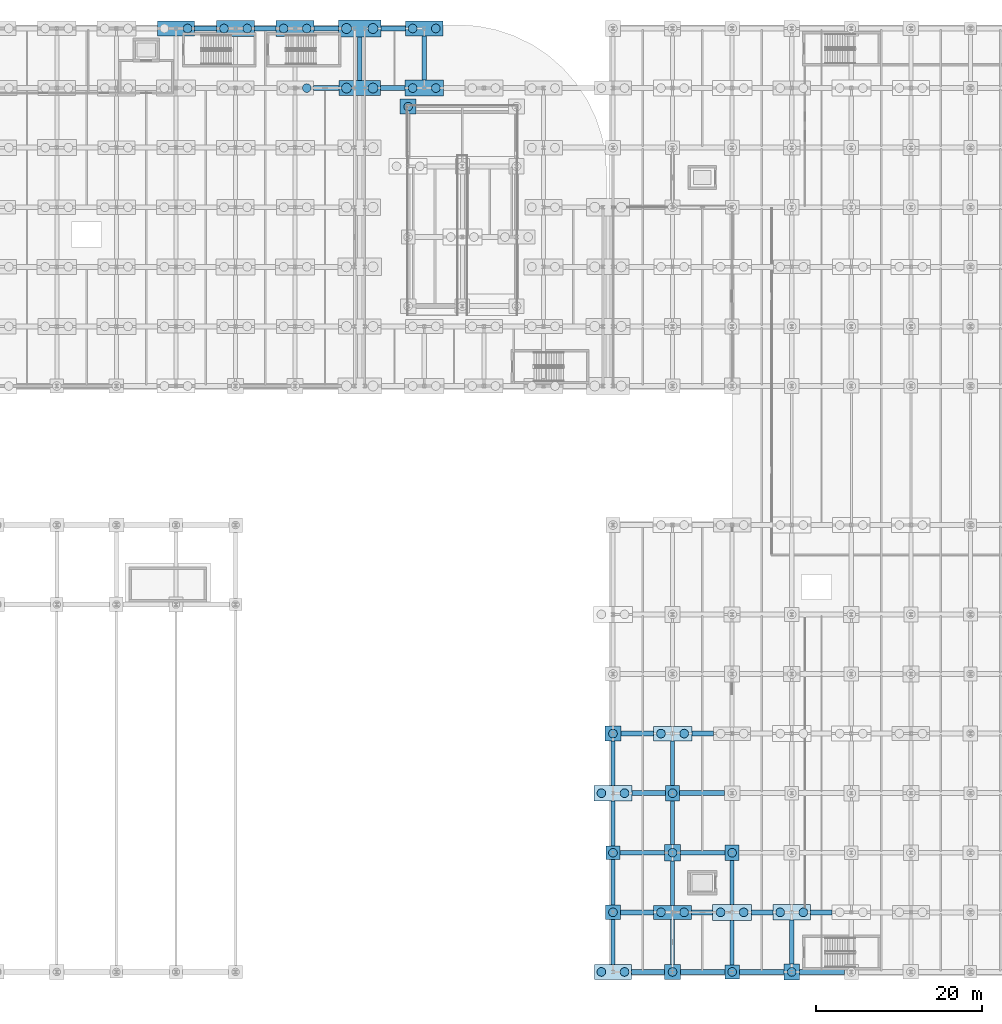
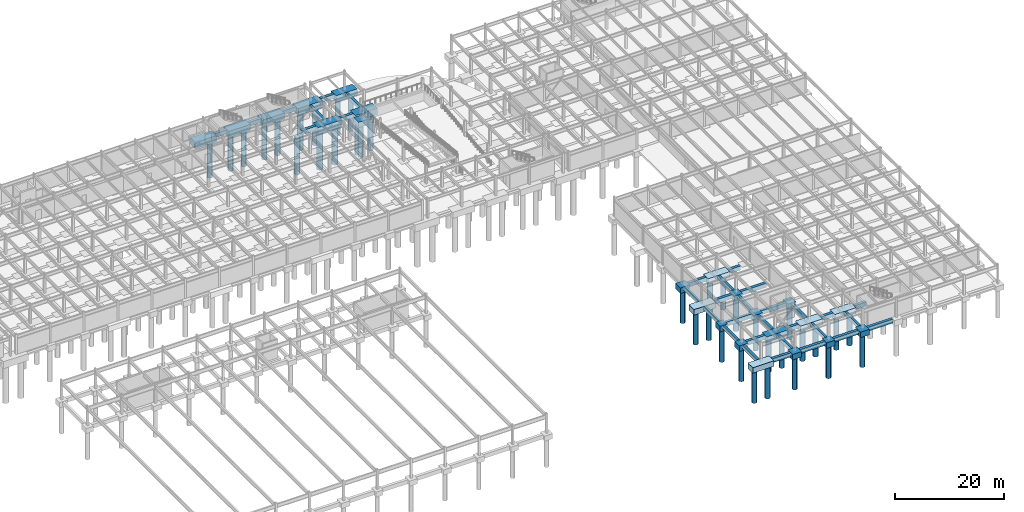
# One storey, part 8 of 54: 56 footings, 36 piles.
"""IFC4 building model written with IfcOpenShell, lengths in metres."""

from ifc_helpers import new_model, si_unit, direction, frame, origin, origin_2d, place, context, subcontext, project, spatial, polyline, rectangle, circle, outline, extrude, material, material_profile, profile_set, type_object, element, save


model = new_model("IFC4")

# Units and contexts
model_context = context("Model", 3, precision=1e-05, world=origin(), true_north=direction((0.0, 1.0)))
body_context = subcontext(model_context, "Body", "Model", "MODEL_VIEW")
ifc_project = project(units=[si_unit("LENGTHUNIT", "METRE"), si_unit("AREAUNIT", "SQUARE_METRE"), si_unit("VOLUMEUNIT", "CUBIC_METRE"), si_unit("PLANEANGLEUNIT", "RADIAN"), si_unit("MASSUNIT", "GRAM", prefix="KILO")], contexts=[model_context])

# Site, building, storey
site_placement = place(None, origin())
site = spatial("IfcSite", under=ifc_project, at=site_placement, CompositionType="ELEMENT")
building_placement = place(site_placement, origin())
building = spatial("IfcBuilding", under=site, at=building_placement, Name="Vaelcorin Mobility Hub", CompositionType="ELEMENT")
storey_placement = place(building_placement, frame((0.0, 0.0, -4.5)))
storey = spatial("IfcBuildingStorey", under=building, at=storey_placement, Name="B1", CompositionType="ELEMENT", Elevation=-4.5)

# Footings
ifc_material = material(Name="Concrete f'c 40 MPa", Category="concrete")
footing_type_1 = type_object("IfcFootingType", Name="FB-500X800", PredefinedType="FOOTING_BEAM", material=ifc_material)
footing_1_placement = place(storey_placement, frame((0.0, 0.0, -0.800048828125)))
element("IfcFooting", 1, at=footing_1_placement, inside=storey, type_object=footing_type_1, Name="Foundation Tie Beam FB-Y-361", PredefinedType="FOOTING_BEAM", context=body_context, shape_type="SweptSolid", body=[
    extrude(outline(polyline([(122.75, 113.699951171875), (123.25, 113.699951171875), (123.25, 118.97509765625), (122.75, 118.97509765625), (122.75, 113.699951171875)])), origin(), (0.0, 0.0, 1.0), 0.800048828125),
])
footing_2_placement = place(storey_placement, frame((0.0, 0.0, -0.800048828125)))
element("IfcFooting", 2, at=footing_2_placement, inside=storey, type_object=footing_type_1, Name="Foundation Tie Beam FB-Y-363", PredefinedType="FOOTING_BEAM", context=body_context, shape_type="SweptSolid", body=[
    extrude(outline(polyline([(130.550048828125, 113.77490234375), (131.050048828125, 113.77490234375), (131.050048828125, 119.074951171875), (130.550048828125, 119.074951171875), (130.550048828125, 113.77490234375)])), origin(), (0.0, 0.0, 1.0), 0.800048828125),
])
footing_3_placement = place(storey_placement, frame((0.0, 0.0, -0.800048828125)))
element("IfcFooting", 3, at=footing_3_placement, inside=storey, type_object=footing_type_1, Name="Foundation Tie Beam FB-Y-370", PredefinedType="FOOTING_BEAM", context=body_context, shape_type="SweptSolid", body=[
    extrude(outline(polyline([(153.35009765625, 6.925048828125), (153.85009765625, 6.925048828125), (153.85009765625, 12.324951171875), (153.35009765625, 12.324951171875), (153.35009765625, 6.925048828125)])), origin(), (0.0, 0.0, 1.0), 0.800048828125),
])
footing_4_placement = place(storey_placement, frame((0.0, 0.0, -0.800048828125)))
element("IfcFooting", 4, at=footing_4_placement, inside=storey, type_object=footing_type_1, Name="Foundation Tie Beam FB-Y-371", PredefinedType="FOOTING_BEAM", context=body_context, shape_type="SweptSolid", body=[
    extrude(outline(polyline([(153.35009765625, 14.074951171875), (153.85009765625, 14.074951171875), (153.85009765625, 19.574951171875), (153.35009765625, 19.574951171875), (153.35009765625, 14.074951171875)])), origin(), (0.0, 0.0, 1.0), 0.800048828125),
])
footing_5_placement = place(storey_placement, frame((0.0, 0.0, -0.800048828125)))
element("IfcFooting", 5, at=footing_5_placement, inside=storey, type_object=footing_type_1, Name="Foundation Tie Beam FB-Y-372", PredefinedType="FOOTING_BEAM", context=body_context, shape_type="SweptSolid", body=[
    extrude(outline(polyline([(153.35009765625, 21.22509765625), (153.85009765625, 21.22509765625), (153.85009765625, 26.64990234375), (153.35009765625, 26.64990234375), (153.35009765625, 21.22509765625)])), origin(), (0.0, 0.0, 1.0), 0.800048828125),
])
footing_6_placement = place(storey_placement, frame((0.0, 0.0, -0.800048828125)))
element("IfcFooting", 6, at=footing_6_placement, inside=storey, type_object=footing_type_1, Name="Foundation Tie Beam FB-Y-373", PredefinedType="FOOTING_BEAM", context=body_context, shape_type="SweptSolid", body=[
    extrude(outline(polyline([(153.35009765625, 28.550048828125), (153.85009765625, 28.550048828125), (153.85009765625, 33.89990234375), (153.35009765625, 33.89990234375), (153.35009765625, 28.550048828125)])), origin(), (0.0, 0.0, 1.0), 0.800048828125),
])
footing_7_placement = place(storey_placement, frame((0.0, 0.0, -0.800048828125)))
element("IfcFooting", 7, at=footing_7_placement, inside=storey, type_object=footing_type_1, Name="Foundation Tie Beam FB-Y-382", PredefinedType="FOOTING_BEAM", context=body_context, shape_type="SweptSolid", body=[
    extrude(outline(polyline([(160.550048828125, 6.89990234375), (161.050048828125, 6.89990234375), (161.050048828125, 12.35009765625), (160.550048828125, 12.35009765625), (160.550048828125, 6.89990234375)])), origin(), (0.0, 0.0, 1.0), 0.800048828125),
])
footing_8_placement = place(storey_placement, frame((0.0, 0.0, -0.800048828125)))
element("IfcFooting", 8, at=footing_8_placement, inside=storey, type_object=footing_type_1, Name="Foundation Tie Beam FB-Y-383", PredefinedType="FOOTING_BEAM", context=body_context, shape_type="SweptSolid", body=[
    extrude(outline(polyline([(160.550048828125, 14.050048828125), (161.050048828125, 14.050048828125), (161.050048828125, 19.425048828125), (160.550048828125, 19.425048828125), (160.550048828125, 14.050048828125)])), origin(), (0.0, 0.0, 1.0), 0.800048828125),
])
footing_9_placement = place(storey_placement, frame((0.0, 0.0, -0.800048828125)))
element("IfcFooting", 9, at=footing_9_placement, inside=storey, type_object=footing_type_1, Name="Foundation Tie Beam FB-Y-384", PredefinedType="FOOTING_BEAM", context=body_context, shape_type="SweptSolid", body=[
    extrude(outline(polyline([(160.550048828125, 21.375), (161.050048828125, 21.375), (161.050048828125, 26.675048828125), (160.550048828125, 26.675048828125), (160.550048828125, 21.375)])), origin(), (0.0, 0.0, 1.0), 0.800048828125),
])
footing_10_placement = place(storey_placement, frame((0.0, 0.0, -0.800048828125)))
element("IfcFooting", 10, at=footing_10_placement, inside=storey, type_object=footing_type_1, Name="Foundation Tie Beam FB-Y-385", PredefinedType="FOOTING_BEAM", context=body_context, shape_type="SweptSolid", body=[
    extrude(outline(polyline([(160.550048828125, 28.52490234375), (161.050048828125, 28.52490234375), (161.050048828125, 33.925048828125), (160.550048828125, 33.925048828125), (160.550048828125, 28.52490234375)])), origin(), (0.0, 0.0, 1.0), 0.800048828125),
])
footing_11_placement = place(storey_placement, frame((0.0, 0.0, -0.800048828125)))
element("IfcFooting", 11, at=footing_11_placement, inside=storey, type_object=footing_type_1, Name="Foundation Tie Beam FB-Y-395", PredefinedType="FOOTING_BEAM", context=body_context, shape_type="SweptSolid", body=[
    extrude(outline(polyline([(167.75, 6.85009765625), (168.25, 6.85009765625), (168.25, 12.22509765625), (167.75, 12.22509765625), (167.75, 6.85009765625)])), origin(), (0.0, 0.0, 1.0), 0.800048828125),
])
footing_12_placement = place(storey_placement, frame((0.0, 0.0, -0.800048828125)))
element("IfcFooting", 12, at=footing_12_placement, inside=storey, type_object=footing_type_1, Name="Foundation Tie Beam FB-Y-396", PredefinedType="FOOTING_BEAM", context=body_context, shape_type="SweptSolid", body=[
    extrude(outline(polyline([(167.75, 14.175048828125), (168.25, 14.175048828125), (168.25, 19.47509765625), (167.75, 19.47509765625), (167.75, 14.175048828125)])), origin(), (0.0, 0.0, 1.0), 0.800048828125),
])
footing_13_placement = place(storey_placement, frame((0.0, 0.0, -0.800048828125)))
element("IfcFooting", 13, at=footing_13_placement, inside=storey, type_object=footing_type_1, Name="Foundation Tie Beam FB-Y-408", PredefinedType="FOOTING_BEAM", context=body_context, shape_type="SweptSolid", body=[
    extrude(outline(polyline([(174.949951171875, 6.97509765625), (175.449951171875, 6.97509765625), (175.449951171875, 12.27490234375), (174.949951171875, 12.27490234375), (174.949951171875, 6.97509765625)])), origin(), (0.0, 0.0, 1.0), 0.800048828125),
])
footing_type_2 = type_object("IfcFootingType", Name="FB-600X900", PredefinedType="FOOTING_BEAM", material=ifc_material)
footing_14_placement = place(storey_placement, frame((0.0, 0.0, -0.89990234375)))
element("IfcFooting", 14, at=footing_14_placement, inside=storey, type_object=footing_type_2, Name="Foundation Tie Beam FB-X-131", PredefinedType="FOOTING_BEAM", context=body_context, shape_type="SweptSolid", body=[
    extrude(outline(polyline([(117.425048828125, 112.5), (120.5, 112.5), (120.5, 113.10009765625), (117.425048828125, 113.10009765625), (117.425048828125, 112.5)])), origin(), (0.0, 0.0, 1.0), 0.89990234375),
])
footing_15_placement = place(storey_placement, frame((0.0, 0.0, -0.89990234375)))
element("IfcFooting", 15, at=footing_15_placement, inside=storey, type_object=footing_type_2, Name="Foundation Tie Beam FB-X-132", PredefinedType="FOOTING_BEAM", context=body_context, shape_type="SweptSolid", body=[
    extrude(outline(polyline([(125.5, 112.5), (128.449951171875, 112.5), (128.449951171875, 113.10009765625), (125.5, 113.10009765625), (125.5, 112.5)])), origin(), (0.0, 0.0, 1.0), 0.89990234375),
])
footing_16_placement = place(storey_placement, frame((0.0, 0.0, -0.89990234375)))
element("IfcFooting", 16, at=footing_16_placement, inside=storey, type_object=footing_type_2, Name="Foundation Tie Beam FB-X-153", PredefinedType="FOOTING_BEAM", context=body_context, shape_type="SweptSolid", body=[
    extrude(outline(polyline([(103.050048828125, 119.699951171875), (105.699951171875, 119.699951171875), (105.699951171875, 120.300048828125), (103.050048828125, 120.300048828125), (103.050048828125, 119.699951171875)])), origin(), (0.0, 0.0, 1.0), 0.89990234375),
])
footing_17_placement = place(storey_placement, frame((0.0, 0.0, -0.89990234375)))
element("IfcFooting", 17, at=footing_17_placement, inside=storey, type_object=footing_type_2, Name="Foundation Tie Beam FB-X-154", PredefinedType="FOOTING_BEAM", context=body_context, shape_type="SweptSolid", body=[
    extrude(outline(polyline([(110.300048828125, 119.699951171875), (112.89990234375, 119.699951171875), (112.89990234375, 120.300048828125), (110.300048828125, 120.300048828125), (110.300048828125, 119.699951171875)])), origin(), (0.0, 0.0, 1.0), 0.89990234375),
])
footing_18_placement = place(storey_placement, frame((0.0, 0.0, -0.89990234375)))
element("IfcFooting", 18, at=footing_18_placement, inside=storey, type_object=footing_type_2, Name="Foundation Tie Beam FB-X-155", PredefinedType="FOOTING_BEAM", context=body_context, shape_type="SweptSolid", body=[
    extrude(outline(polyline([(117.5, 119.699951171875), (120.425048828125, 119.699951171875), (120.425048828125, 120.300048828125), (117.5, 120.300048828125), (117.5, 119.699951171875)])), origin(), (0.0, 0.0, 1.0), 0.89990234375),
])
footing_19_placement = place(storey_placement, frame((0.0, 0.0, -0.89990234375)))
element("IfcFooting", 19, at=footing_19_placement, inside=storey, type_object=footing_type_2, Name="Foundation Tie Beam FB-X-156", PredefinedType="FOOTING_BEAM", context=body_context, shape_type="SweptSolid", body=[
    extrude(outline(polyline([(125.574951171875, 119.699951171875), (128.550048828125, 119.699951171875), (128.550048828125, 120.300048828125), (125.574951171875, 120.300048828125), (125.574951171875, 119.699951171875)])), origin(), (0.0, 0.0, 1.0), 0.89990234375),
])
footing_20_placement = place(storey_placement, frame((0.0, 0.0, -0.89990234375)))
element("IfcFooting", 20, at=footing_20_placement, inside=storey, type_object=footing_type_2, Name="Foundation Tie Beam FB-X-174", PredefinedType="FOOTING_BEAM", context=body_context, shape_type="SweptSolid", body=[
    extrude(outline(polyline([(155.85009765625, 5.699951171875), (159.824951171875, 5.699951171875), (159.824951171875, 6.300048828125), (155.85009765625, 6.300048828125), (155.85009765625, 5.699951171875)])), origin(), (0.0, 0.0, 1.0), 0.89990234375),
])
footing_21_placement = place(storey_placement, frame((0.0, 0.0, -0.89990234375)))
element("IfcFooting", 21, at=footing_21_placement, inside=storey, type_object=footing_type_2, Name="Foundation Tie Beam FB-X-175", PredefinedType="FOOTING_BEAM", context=body_context, shape_type="SweptSolid", body=[
    extrude(outline(polyline([(161.77490234375, 5.699951171875), (167.125, 5.699951171875), (167.125, 6.300048828125), (161.77490234375, 6.300048828125), (161.77490234375, 5.699951171875)])), origin(), (0.0, 0.0, 1.0), 0.89990234375),
])
footing_22_placement = place(storey_placement, frame((0.0, 0.0, -0.89990234375)))
element("IfcFooting", 22, at=footing_22_placement, inside=storey, type_object=footing_type_2, Name="Foundation Tie Beam FB-X-176", PredefinedType="FOOTING_BEAM", context=body_context, shape_type="SweptSolid", body=[
    extrude(outline(polyline([(168.875, 5.699951171875), (174.25, 5.699951171875), (174.25, 6.300048828125), (168.875, 6.300048828125), (168.875, 5.699951171875)])), origin(), (0.0, 0.0, 1.0), 0.89990234375),
])
footing_23_placement = place(storey_placement, frame((0.0, 0.0, -0.89990234375)))
element("IfcFooting", 23, at=footing_23_placement, inside=storey, type_object=footing_type_2, Name="Foundation Tie Beam FB-X-177", PredefinedType="FOOTING_BEAM", context=body_context, shape_type="SweptSolid", body=[
    extrude(outline(polyline([(176.14990234375, 5.699951171875), (181.550048828125, 5.699951171875), (181.550048828125, 6.300048828125), (176.14990234375, 6.300048828125), (176.14990234375, 5.699951171875)])), origin(), (0.0, 0.0, 1.0), 0.89990234375),
])
footing_24_placement = place(storey_placement, frame((0.0, 0.0, -0.89990234375)))
element("IfcFooting", 24, at=footing_24_placement, inside=storey, type_object=footing_type_2, Name="Foundation Tie Beam FB-X-208", PredefinedType="FOOTING_BEAM", context=body_context, shape_type="SweptSolid", body=[
    extrude(outline(polyline([(154.52490234375, 12.89990234375), (158.52490234375, 12.89990234375), (158.52490234375, 13.5), (154.52490234375, 13.5), (154.52490234375, 12.89990234375)])), origin(), (0.0, 0.0, 1.0), 0.89990234375),
])
footing_25_placement = place(storey_placement, frame((0.0, 0.0, -0.89990234375)))
element("IfcFooting", 25, at=footing_25_placement, inside=storey, type_object=footing_type_2, Name="Foundation Tie Beam FB-X-209", PredefinedType="FOOTING_BEAM", context=body_context, shape_type="SweptSolid", body=[
    extrude(outline(polyline([(163.074951171875, 12.89990234375), (165.64990234375, 12.89990234375), (165.64990234375, 13.5), (163.074951171875, 13.5), (163.074951171875, 12.89990234375)])), origin(), (0.0, 0.0, 1.0), 0.89990234375),
])
footing_26_placement = place(storey_placement, frame((0.0, 0.0, -0.89990234375)))
element("IfcFooting", 26, at=footing_26_placement, inside=storey, type_object=footing_type_2, Name="Foundation Tie Beam FB-X-210", PredefinedType="FOOTING_BEAM", context=body_context, shape_type="SweptSolid", body=[
    extrude(outline(polyline([(170.35009765625, 12.89990234375), (172.949951171875, 12.89990234375), (172.949951171875, 13.5), (170.35009765625, 13.5), (170.35009765625, 12.89990234375)])), origin(), (0.0, 0.0, 1.0), 0.89990234375),
])
footing_27_placement = place(storey_placement, frame((0.0, 0.0, -0.89990234375)))
element("IfcFooting", 27, at=footing_27_placement, inside=storey, type_object=footing_type_2, Name="Foundation Tie Beam FB-X-211", PredefinedType="FOOTING_BEAM", context=body_context, shape_type="SweptSolid", body=[
    extrude(outline(polyline([(177.449951171875, 12.89990234375), (180.074951171875, 12.89990234375), (180.074951171875, 13.5), (177.449951171875, 13.5), (177.449951171875, 12.89990234375)])), origin(), (0.0, 0.0, 1.0), 0.89990234375),
])
footing_28_placement = place(storey_placement, frame((0.0, 0.0, -0.89990234375)))
element("IfcFooting", 28, at=footing_28_placement, inside=storey, type_object=footing_type_2, Name="Foundation Tie Beam FB-X-215", PredefinedType="FOOTING_BEAM", context=body_context, shape_type="SweptSolid", body=[
    extrude(outline(polyline([(154.425048828125, 20.10009765625), (159.85009765625, 20.10009765625), (159.85009765625, 20.699951171875), (154.425048828125, 20.699951171875), (154.425048828125, 20.10009765625)])), origin(), (0.0, 0.0, 1.0), 0.89990234375),
])
footing_29_placement = place(storey_placement, frame((0.0, 0.0, -0.89990234375)))
element("IfcFooting", 29, at=footing_29_placement, inside=storey, type_object=footing_type_2, Name="Foundation Tie Beam FB-X-216", PredefinedType="FOOTING_BEAM", context=body_context, shape_type="SweptSolid", body=[
    extrude(outline(polyline([(161.75, 20.10009765625), (167.14990234375, 20.10009765625), (167.14990234375, 20.699951171875), (161.75, 20.699951171875), (161.75, 20.10009765625)])), origin(), (0.0, 0.0, 1.0), 0.89990234375),
])
footing_30_placement = place(storey_placement, frame((0.0, 0.0, -0.89990234375)))
element("IfcFooting", 30, at=footing_30_placement, inside=storey, type_object=footing_type_2, Name="Foundation Tie Beam FB-X-222", PredefinedType="FOOTING_BEAM", context=body_context, shape_type="SweptSolid", body=[
    extrude(outline(polyline([(155.89990234375, 27.300048828125), (159.949951171875, 27.300048828125), (159.949951171875, 27.89990234375), (155.89990234375, 27.89990234375), (155.89990234375, 27.300048828125)])), origin(), (0.0, 0.0, 1.0), 0.89990234375),
])
footing_31_placement = place(storey_placement, frame((0.0, 0.0, -0.89990234375)))
element("IfcFooting", 31, at=footing_31_placement, inside=storey, type_object=footing_type_2, Name="Foundation Tie Beam FB-X-223", PredefinedType="FOOTING_BEAM", context=body_context, shape_type="SweptSolid", body=[
    extrude(outline(polyline([(161.64990234375, 27.300048828125), (167.074951171875, 27.300048828125), (167.074951171875, 27.89990234375), (161.64990234375, 27.89990234375), (161.64990234375, 27.300048828125)])), origin(), (0.0, 0.0, 1.0), 0.89990234375),
])
footing_32_placement = place(storey_placement, frame((0.0, 0.0, -0.89990234375)))
element("IfcFooting", 32, at=footing_32_placement, inside=storey, type_object=footing_type_2, Name="Foundation Tie Beam FB-X-229", PredefinedType="FOOTING_BEAM", context=body_context, shape_type="SweptSolid", body=[
    extrude(outline(polyline([(154.574951171875, 34.5), (158.47509765625, 34.5), (158.47509765625, 35.10009765625), (154.574951171875, 35.10009765625), (154.574951171875, 34.5)])), origin(), (0.0, 0.0, 1.0), 0.89990234375),
])
footing_33_placement = place(storey_placement, frame((0.0, 0.0, -0.89990234375)))
element("IfcFooting", 33, at=footing_33_placement, inside=storey, type_object=footing_type_2, Name="Foundation Tie Beam FB-X-230", PredefinedType="FOOTING_BEAM", context=body_context, shape_type="SweptSolid", body=[
    extrude(outline(polyline([(163.125, 34.5), (165.77490234375, 34.5), (165.77490234375, 35.10009765625), (163.125, 35.10009765625), (163.125, 34.5)])), origin(), (0.0, 0.0, 1.0), 0.89990234375),
])
footing_type_3 = type_object("IfcFootingType", Name="FTG-PC-01", PredefinedType="PILE_CAP", material=ifc_material)
for number, where, z_axis, x_axis, name in (
    (34, (108.0, 120.0, -1.39990234375), (0.0, 0.0, 1.0), (1.0, 0.0, 0.0), "Pile Cap PC-01 127"),
    (35, (115.199951171875, 120.0, -1.39990234375), (0.0, 0.0, 1.0), (1.0, 0.0, 0.0), "Pile Cap PC-01 134"),
):
    element("IfcFooting", number, at=place(storey_placement, frame(where, z_axis=z_axis, x_axis=x_axis)), inside=storey, type_object=footing_type_3, Name=name, PredefinedType="PILE_CAP", context=body_context, shape_type="SweptSolid", body=[
        extrude(rectangle(XDim=4.60009765625, YDim=1.89990234375, at=origin_2d()), origin(), (0.0, 0.0, 1.0), 1.39990234375),
    ])
footing_type_4 = type_object("IfcFootingType", Name="FTG-PC-04", PredefinedType="PILE_CAP", material=ifc_material)
footing_34_placement = place(storey_placement, frame((130.800048828125, 112.800048828125, -1.39990234375), z_axis=(0.0, 0.0, 1.0), x_axis=(1.0, 0.0, 0.0)))
element("IfcFooting", 36, at=footing_34_placement, inside=storey, type_object=footing_type_4, Name="Pile Cap PC-04 144", PredefinedType="PILE_CAP", context=body_context, shape_type="SweptSolid", body=[
    extrude(rectangle(XDim=4.699951171875, YDim=1.949951171875, at=origin_2d()), origin(), (0.0, 0.0, 1.0), 1.39990234375),
])
footing_type_5 = type_object("IfcFootingType", Name="FTG-PC-05", PredefinedType="PILE_CAP", material=ifc_material)
for number, where, z_axis, x_axis, name in (
    (37, (100.800048828125, 120.0, -1.39990234375), (0.0, 0.0, 1.0), (1.0, 0.0, 0.0), "Pile Cap PC-05 117"),
    (38, (130.800048828125, 120.0, -1.39990234375), (0.0, 0.0, 1.0), (1.0, 0.0, 0.0), "Pile Cap PC-05 145"),
):
    element("IfcFooting", number, at=place(storey_placement, frame(where, z_axis=z_axis, x_axis=x_axis)), inside=storey, type_object=footing_type_5, Name=name, PredefinedType="PILE_CAP", context=body_context, shape_type="SweptSolid", body=[
        extrude(rectangle(XDim=4.5, YDim=1.85009765625, at=origin_2d()), origin(), (0.0, 0.0, 1.0), 1.39990234375),
    ])
footing_type_6 = type_object("IfcFootingType", Name="FTG-PC-21", PredefinedType="PILE_CAP", material=ifc_material)
footing_35_placement = place(storey_placement, frame((168.0, 6.0, -1.25), z_axis=(0.0, 0.0, 1.0), x_axis=(1.0, 0.0, 0.0)))
element("IfcFooting", 39, at=footing_35_placement, inside=storey, type_object=footing_type_6, Name="Pile Cap PC-21 185", PredefinedType="PILE_CAP", context=body_context, shape_type="SweptSolid", body=[
    extrude(rectangle(XDim=1.75, YDim=1.699951171875, at=origin_2d()), origin(), (0.0, 0.0, 1.0), 1.25),
])
footing_type_7 = type_object("IfcFootingType", Name="FTG-PC-23", PredefinedType="PILE_CAP", material=ifc_material)
footing_36_placement = place(storey_placement, frame((153.60009765625, 13.199951171875, -1.25), z_axis=(0.0, 0.0, 1.0), x_axis=(1.0, 0.0, 0.0)))
element("IfcFooting", 40, at=footing_36_placement, inside=storey, type_object=footing_type_7, Name="Pile Cap PC-23 160", PredefinedType="PILE_CAP", context=body_context, shape_type="SweptSolid", body=[
    extrude(rectangle(XDim=1.85009765625, YDim=1.75, at=origin_2d()), origin(), (0.0, 0.0, 1.0), 1.25),
])
footing_type_8 = type_object("IfcFootingType", Name="FTG-PC-25", PredefinedType="PILE_CAP", material=ifc_material)
for number, where, z_axis, x_axis, name in (
    (41, (160.800048828125, 27.60009765625, -1.25), (0.0, 0.0, 1.0), (1.0, 0.0, 0.0), "Pile Cap PC-25 173"),
    (42, (168.0, 20.39990234375, -1.25), (0.0, 0.0, 1.0), (1.0, 0.0, 0.0), "Pile Cap PC-25 187"),
):
    element("IfcFooting", number, at=place(storey_placement, frame(where, z_axis=z_axis, x_axis=x_axis)), inside=storey, type_object=footing_type_8, Name=name, PredefinedType="PILE_CAP", context=body_context, shape_type="SweptSolid", body=[
        extrude(rectangle(XDim=1.699951171875, YDim=1.85009765625, at=origin_2d()), origin(), (0.0, 0.0, 1.0), 1.25),
    ])
footing_type_9 = type_object("IfcFootingType", Name="FTG-PC-27", PredefinedType="PILE_CAP", material=ifc_material)
footing_37_placement = place(storey_placement, frame((168.0, 13.199951171875, -1.25), z_axis=(0.0, 0.0, 1.0), x_axis=(1.0, 0.0, 0.0)))
element("IfcFooting", 43, at=footing_37_placement, inside=storey, type_object=footing_type_9, Name="Pile Cap PC-27 186", PredefinedType="PILE_CAP", context=body_context, shape_type="SweptSolid", body=[
    extrude(rectangle(XDim=4.699951171875, YDim=1.949951171875, at=origin_2d()), origin(), (0.0, 0.0, 1.0), 1.25),
])
footing_type_10 = type_object("IfcFootingType", Name="FTG-PC-28", PredefinedType="PILE_CAP", material=ifc_material)
footing_38_placement = place(storey_placement, frame((153.60009765625, 20.39990234375, -1.25), z_axis=(0.0, 0.0, 1.0), x_axis=(1.0, 0.0, 0.0)))
element("IfcFooting", 44, at=footing_38_placement, inside=storey, type_object=footing_type_10, Name="Pile Cap PC-28 161", PredefinedType="PILE_CAP", context=body_context, shape_type="SweptSolid", body=[
    extrude(rectangle(XDim=1.64990234375, YDim=1.64990234375, at=origin_2d()), origin(), (0.0, 0.0, 1.0), 1.25),
])
footing_type_11 = type_object("IfcFootingType", Name="FTG-PC-29", PredefinedType="PILE_CAP", material=ifc_material)
footing_39_placement = place(storey_placement, frame((160.800048828125, 34.800048828125, -1.25), z_axis=(0.0, 0.0, 1.0), x_axis=(1.0, 0.0, 0.0)))
element("IfcFooting", 45, at=footing_39_placement, inside=storey, type_object=footing_type_11, Name="Pile Cap PC-29 174", PredefinedType="PILE_CAP", context=body_context, shape_type="SweptSolid", body=[
    extrude(rectangle(XDim=4.64990234375, YDim=1.75, at=origin_2d()), origin(), (0.0, 0.0, 1.0), 1.25),
])
footing_type_12 = type_object("IfcFootingType", Name="FTG-PC-30", PredefinedType="PILE_CAP", material=ifc_material)
for number, where, z_axis, x_axis, name in (
    (46, (153.60009765625, 34.800048828125, -1.25), (0.0, 0.0, 1.0), (1.0, 0.0, 0.0), "Pile Cap PC-30 163"),
    (47, (160.800048828125, 6.0, -1.25), (0.0, 0.0, 1.0), (1.0, 0.0, 0.0), "Pile Cap PC-30 170"),
    (48, (128.85009765625, 110.550048828125, -1.25), (0.0, 0.0, 1.0), (1.0, 0.0, 0.0), "Pile Cap PC-30 289"),
):
    element("IfcFooting", number, at=place(storey_placement, frame(where, z_axis=z_axis, x_axis=x_axis)), inside=storey, type_object=footing_type_12, Name=name, PredefinedType="PILE_CAP", context=body_context, shape_type="SweptSolid", body=[
        extrude(rectangle(XDim=1.949951171875, YDim=1.800048828125, at=origin_2d()), origin(), (0.0, 0.0, 1.0), 1.25),
    ])
footing_type_13 = type_object("IfcFootingType", Name="FTG-PC-31", PredefinedType="PILE_CAP", material=ifc_material)
for number, where, z_axis, x_axis, name in (
    (49, (153.60009765625, 6.0, -1.25), (0.0, 0.0, 1.0), (1.0, 0.0, 0.0), "Pile Cap PC-31 159"),
    (50, (175.199951171875, 13.199951171875, -1.25), (0.0, 0.0, 1.0), (1.0, 0.0, 0.0), "Pile Cap PC-31 201"),
):
    element("IfcFooting", number, at=place(storey_placement, frame(where, z_axis=z_axis, x_axis=x_axis)), inside=storey, type_object=footing_type_13, Name=name, PredefinedType="PILE_CAP", context=body_context, shape_type="SweptSolid", body=[
        extrude(rectangle(XDim=4.5, YDim=1.85009765625, at=origin_2d()), origin(), (0.0, 0.0, 1.0), 1.25),
    ])
footing_type_14 = type_object("IfcFootingType", Name="FTG-PC-32", PredefinedType="PILE_CAP", material=ifc_material)
footing_40_placement = place(storey_placement, frame((153.60009765625, 27.60009765625, -1.25), z_axis=(0.0, 0.0, 1.0), x_axis=(1.0, 0.0, 0.0)))
element("IfcFooting", 51, at=footing_40_placement, inside=storey, type_object=footing_type_14, Name="Pile Cap PC-32 162", PredefinedType="PILE_CAP", context=body_context, shape_type="SweptSolid", body=[
    extrude(rectangle(XDim=4.60009765625, YDim=1.89990234375, at=origin_2d()), origin(), (0.0, 0.0, 1.0), 1.25),
])
footing_type_15 = type_object("IfcFootingType", Name="FTG-PC-34", PredefinedType="PILE_CAP", material=ifc_material)
footing_41_placement = place(storey_placement, frame((160.800048828125, 13.199951171875, -1.25), z_axis=(0.0, 0.0, 1.0), x_axis=(1.0, 0.0, 0.0)))
element("IfcFooting", 52, at=footing_41_placement, inside=storey, type_object=footing_type_15, Name="Pile Cap PC-34 171", PredefinedType="PILE_CAP", context=body_context, shape_type="SweptSolid", body=[
    extrude(rectangle(XDim=4.550048828125, YDim=1.699951171875, at=origin_2d()), origin(), (0.0, 0.0, 1.0), 1.25),
])
footing_type_16 = type_object("IfcFootingType", Name="FTG-PC-35", PredefinedType="PILE_CAP", material=ifc_material)
for number, where, z_axis, x_axis, name in (
    (53, (160.800048828125, 20.39990234375, -1.25), (0.0, 0.0, 1.0), (1.0, 0.0, 0.0), "Pile Cap PC-35 172"),
    (54, (175.199951171875, 6.0, -1.25), (0.0, 0.0, 1.0), (1.0, 0.0, 0.0), "Pile Cap PC-35 200"),
):
    element("IfcFooting", number, at=place(storey_placement, frame(where, z_axis=z_axis, x_axis=x_axis)), inside=storey, type_object=footing_type_16, Name=name, PredefinedType="PILE_CAP", context=body_context, shape_type="SweptSolid", body=[
        extrude(rectangle(XDim=1.89990234375, YDim=1.949951171875, at=origin_2d()), origin(), (0.0, 0.0, 1.0), 1.25),
    ])
footing_type_17 = type_object("IfcFootingType", Name="FTG-PC-COMB11", PredefinedType="PILE_CAP", material=ifc_material)
footing_42_placement = place(storey_placement, frame((123.0, 112.800048828125, -1.5498046875), z_axis=(0.0, 0.0, 1.0), x_axis=(1.0, 0.0, 0.0)))
element("IfcFooting", 55, at=footing_42_placement, inside=storey, type_object=footing_type_17, Name="Pile Cap PC-COMB11 140", PredefinedType="PILE_CAP", context=body_context, shape_type="SweptSolid", body=[
    extrude(rectangle(XDim=5.0, YDim=1.800048828125, at=origin_2d()), origin(), (0.0, 0.0, 1.0), 1.550048828125),
])
footing_type_18 = type_object("IfcFootingType", Name="FTG-PC-COMB12", PredefinedType="PILE_CAP", material=ifc_material)
footing_43_placement = place(storey_placement, frame((123.0, 120.0, -1.5498046875), z_axis=(0.0, 0.0, 1.0), x_axis=(1.0, 0.0, 0.0)))
element("IfcFooting", 56, at=footing_43_placement, inside=storey, type_object=footing_type_18, Name="Pile Cap PC-COMB12 141", PredefinedType="PILE_CAP", context=body_context, shape_type="SweptSolid", body=[
    extrude(rectangle(XDim=5.14990234375, YDim=2.050048828125, at=origin_2d()), origin(), (0.0, 0.0, 1.0), 1.550048828125),
])

# Piles
ifc_material_profile_1 = material_profile(ifc_material, circle(Radius=0.52490234375, at=origin_2d()), Name="BP-D1050")
ifc_profile_set_1 = profile_set([ifc_material_profile_1], Name="Concrete f'c 40 MPa")
pile_type_1 = type_object("IfcPileType", Name="PILE-D1050", PredefinedType="BORED", material=ifc_profile_set_1)
for number, where, z_axis, x_axis, name in (
    (57, (102.199951171875, 120.0, -1.300048828125), (0.0, 0.0, -1.0), (1.0, 0.0, 0.0), "Bored Pile CAP-117-P2"),
    (58, (106.60009765625, 120.0, -1.300048828125), (0.0, 0.0, -1.0), (1.0, 0.0, 0.0), "Bored Pile CAP-127-P1"),
    (59, (109.39990234375, 120.0, -1.300048828125), (0.0, 0.0, -1.0), (1.0, 0.0, 0.0), "Bored Pile CAP-127-P2"),
    (60, (116.60009765625, 112.800048828125, -1.300048828125), (0.0, 0.0, -1.0), (1.0, 0.0, 0.0), "Bored Pile CAP-133-P2"),
    (61, (113.800048828125, 120.0, -1.300048828125), (0.0, 0.0, -1.0), (1.0, 0.0, 0.0), "Bored Pile CAP-134-P1"),
    (62, (116.60009765625, 120.0, -1.300048828125), (0.0, 0.0, -1.0), (1.0, 0.0, 0.0), "Bored Pile CAP-134-P2"),
    (63, (129.39990234375, 112.800048828125, -1.300048828125), (0.0, 0.0, -1.0), (1.0, 0.0, 0.0), "Bored Pile CAP-144-P1"),
    (64, (132.199951171875, 112.800048828125, -1.300048828125), (0.0, 0.0, -1.0), (1.0, 0.0, 0.0), "Bored Pile CAP-144-P2"),
    (65, (129.39990234375, 120.0, -1.300048828125), (0.0, 0.0, -1.0), (1.0, 0.0, 0.0), "Bored Pile CAP-145-P1"),
    (66, (132.199951171875, 120.0, -1.300048828125), (0.0, 0.0, -1.0), (1.0, 0.0, 0.0), "Bored Pile CAP-145-P2"),
):
    element("IfcPile", number, at=place(storey_placement, frame(where, z_axis=z_axis, x_axis=x_axis)), inside=storey, type_object=pile_type_1, Name=name, PredefinedType="BORED", context=body_context, shape_type="SweptSolid", body=[
        extrude(circle(Radius=0.52490234375, at=origin_2d()), origin(), (0.0, 0.0, 1.0), 8.199951171875),
    ])
for number, where, z_axis, x_axis, name in (
    (67, (152.199951171875, 6.0, -1.14990234375), (0.0, 0.0, -1.0), (1.0, 0.0, 0.0), "Bored Pile CAP-159-P1"),
    (68, (155.0, 6.0, -1.14990234375), (0.0, 0.0, -1.0), (1.0, 0.0, 0.0), "Bored Pile CAP-159-P2"),
    (69, (153.60009765625, 13.199951171875, -1.14990234375), (0.0, 0.0, -1.0), (1.0, 0.0, 0.0), "Bored Pile CAP-160-P1"),
    (70, (153.60009765625, 20.39990234375, -1.14990234375), (0.0, 0.0, -1.0), (1.0, 0.0, 0.0), "Bored Pile CAP-161-P1"),
    (71, (152.199951171875, 27.60009765625, -1.14990234375), (0.0, 0.0, -1.0), (1.0, 0.0, 0.0), "Bored Pile CAP-162-P1"),
    (72, (155.0, 27.60009765625, -1.14990234375), (0.0, 0.0, -1.0), (1.0, 0.0, 0.0), "Bored Pile CAP-162-P2"),
    (73, (153.60009765625, 34.800048828125, -1.14990234375), (0.0, 0.0, -1.0), (1.0, 0.0, 0.0), "Bored Pile CAP-163-P1"),
    (74, (160.800048828125, 6.0, -1.14990234375), (0.0, 0.0, -1.0), (1.0, 0.0, 0.0), "Bored Pile CAP-170-P1"),
    (75, (159.39990234375, 13.199951171875, -1.14990234375), (0.0, 0.0, -1.0), (1.0, 0.0, 0.0), "Bored Pile CAP-171-P1"),
    (76, (162.199951171875, 13.199951171875, -1.14990234375), (0.0, 0.0, -1.0), (1.0, 0.0, 0.0), "Bored Pile CAP-171-P2"),
    (77, (160.800048828125, 20.39990234375, -1.14990234375), (0.0, 0.0, -1.0), (1.0, 0.0, 0.0), "Bored Pile CAP-172-P1"),
    (78, (160.800048828125, 27.60009765625, -1.14990234375), (0.0, 0.0, -1.0), (1.0, 0.0, 0.0), "Bored Pile CAP-173-P1"),
    (79, (159.39990234375, 34.800048828125, -1.14990234375), (0.0, 0.0, -1.0), (1.0, 0.0, 0.0), "Bored Pile CAP-174-P1"),
    (80, (162.199951171875, 34.800048828125, -1.14990234375), (0.0, 0.0, -1.0), (1.0, 0.0, 0.0), "Bored Pile CAP-174-P2"),
    (81, (168.0, 6.0, -1.14990234375), (0.0, 0.0, -1.0), (1.0, 0.0, 0.0), "Bored Pile CAP-185-P1"),
    (82, (166.60009765625, 13.199951171875, -1.14990234375), (0.0, 0.0, -1.0), (1.0, 0.0, 0.0), "Bored Pile CAP-186-P1"),
    (83, (169.39990234375, 13.199951171875, -1.14990234375), (0.0, 0.0, -1.0), (1.0, 0.0, 0.0), "Bored Pile CAP-186-P2"),
    (84, (168.0, 20.39990234375, -1.14990234375), (0.0, 0.0, -1.0), (1.0, 0.0, 0.0), "Bored Pile CAP-187-P1"),
    (85, (175.199951171875, 6.0, -1.14990234375), (0.0, 0.0, -1.0), (1.0, 0.0, 0.0), "Bored Pile CAP-200-P1"),
    (86, (173.800048828125, 13.199951171875, -1.14990234375), (0.0, 0.0, -1.0), (1.0, 0.0, 0.0), "Bored Pile CAP-201-P1"),
    (87, (176.60009765625, 13.199951171875, -1.14990234375), (0.0, 0.0, -1.0), (1.0, 0.0, 0.0), "Bored Pile CAP-201-P2"),
    (88, (128.85009765625, 110.550048828125, -1.14990234375), (0.0, 0.0, -1.0), (1.0, 0.0, 0.0), "Bored Pile CAP-289-P1"),
):
    element("IfcPile", number, at=place(storey_placement, frame(where, z_axis=z_axis, x_axis=x_axis)), inside=storey, type_object=pile_type_1, Name=name, PredefinedType="BORED", context=body_context, shape_type="SweptSolid", body=[
        extrude(circle(Radius=0.52490234375, at=origin_2d()), origin(), (0.0, 0.0, 1.0), 7.35009765625),
    ])
ifc_material_profile_2 = material_profile(ifc_material, circle(Radius=0.60009765625, at=origin_2d()), Name="BP-D1200")
ifc_profile_set_2 = profile_set([ifc_material_profile_2], Name="Concrete f'c 40 MPa")
pile_type_2 = type_object("IfcPileType", Name="PILE-D1200", PredefinedType="BORED", material=ifc_profile_set_2)
for number, where, z_axis, x_axis, name in (
    (89, (121.39990234375, 112.800048828125, -1.449951171875), (0.0, 0.0, -1.0), (1.0, 0.0, 0.0), "Bored Pile CAP-140-P1"),
    (90, (124.60009765625, 112.800048828125, -1.449951171875), (0.0, 0.0, -1.0), (1.0, 0.0, 0.0), "Bored Pile CAP-140-P2"),
    (91, (121.39990234375, 120.0, -1.449951171875), (0.0, 0.0, -1.0), (1.0, 0.0, 0.0), "Bored Pile CAP-141-P1"),
    (92, (124.60009765625, 120.0, -1.449951171875), (0.0, 0.0, -1.0), (1.0, 0.0, 0.0), "Bored Pile CAP-141-P2"),
):
    element("IfcPile", number, at=place(storey_placement, frame(where, z_axis=z_axis, x_axis=x_axis)), inside=storey, type_object=pile_type_2, Name=name, PredefinedType="BORED", context=body_context, shape_type="SweptSolid", body=[
        extrude(circle(Radius=0.60009765625, at=origin_2d()), origin(), (0.0, 0.0, 1.0), 8.550048828125),
    ])

save(model, "model.ifc")
